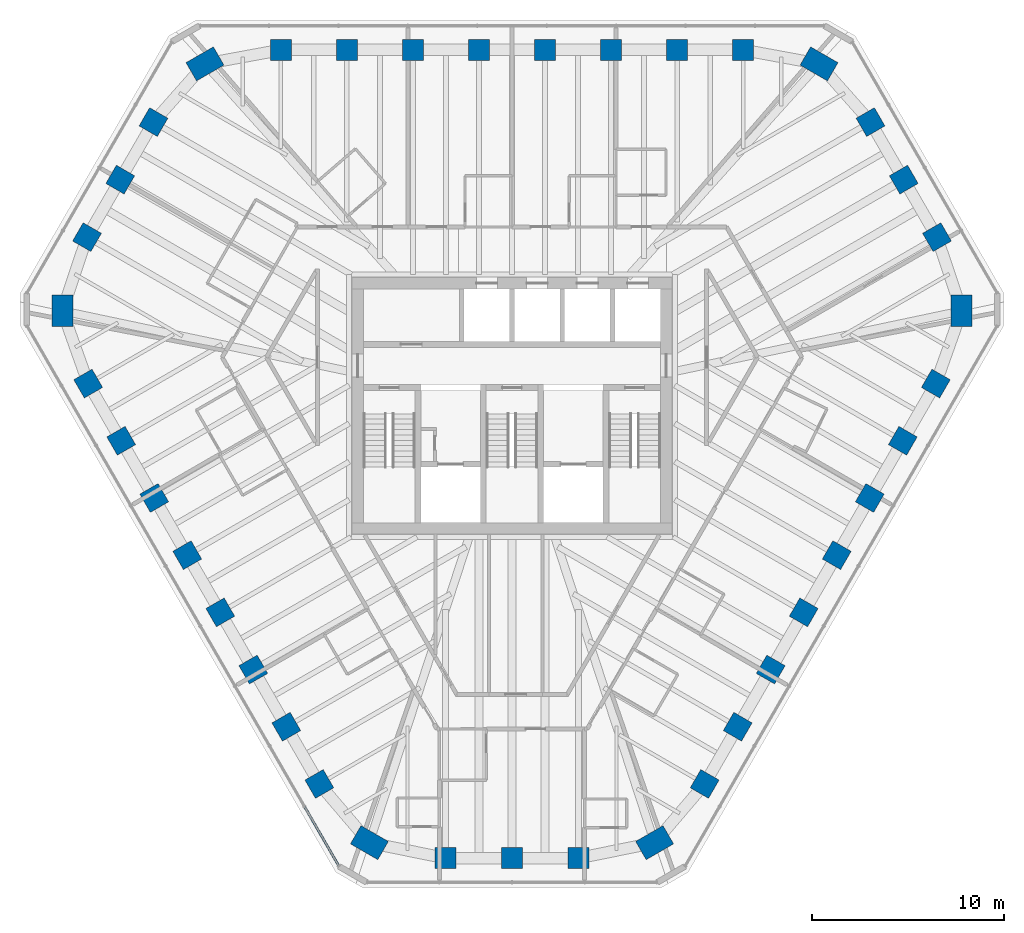
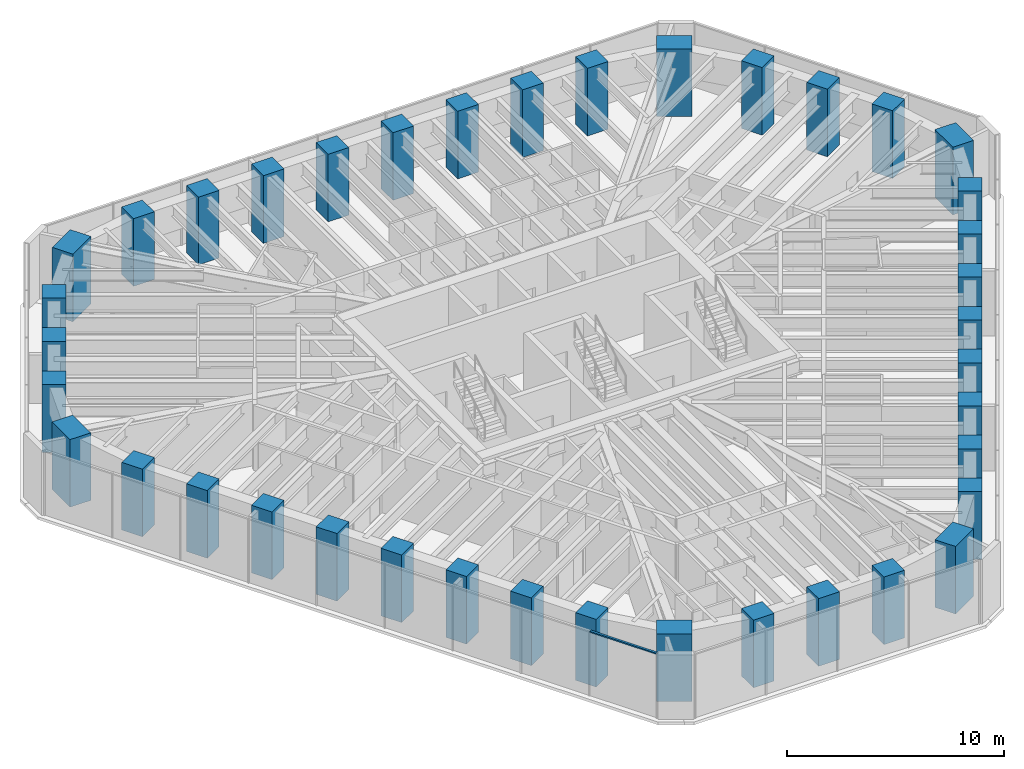
# One storey, part 1 of 14: 39 columns, 1 member, 1 element without a shape of its own.
"""IFC4 building model written with IfcOpenShell, lengths in metres."""

from ifc_helpers import new_model, si_unit, direction, frame, origin, origin_2d, place, context, subcontext, project, spatial, rectangle, extrude, material, material_profile, profile_set, type_object, element, aggregate, save


model = new_model("IFC4")

# Units and contexts
model_context = context("Model", 3, precision=1e-05, world=origin(), true_north=direction((0.0, 1.0)))
body_context = subcontext(model_context, "Body", "Model", "MODEL_VIEW")
ifc_project = project(units=[si_unit("LENGTHUNIT", "METRE"), si_unit("AREAUNIT", "SQUARE_METRE"), si_unit("VOLUMEUNIT", "CUBIC_METRE"), si_unit("PLANEANGLEUNIT", "RADIAN"), si_unit("MASSUNIT", "GRAM", prefix="KILO")], contexts=[model_context])

# Site, building, storey
site_placement = place(None, origin())
site = spatial("IfcSite", under=ifc_project, at=site_placement, CompositionType="ELEMENT")
building_placement = place(site_placement, origin())
building = spatial("IfcBuilding", under=site, at=building_placement, Name="Sandreach Pilgrim Tower", CompositionType="ELEMENT")
storey_placement = place(building_placement, frame((0.0, 0.0, 295.0)))
storey = spatial("IfcBuildingStorey", under=building, at=storey_placement, Name="L74", CompositionType="ELEMENT", Elevation=295.0)

# Columns
ifc_material_1 = material(Name="Concrete 10000 psi", Category="concrete")
ifc_material_profile_1 = material_profile(ifc_material_1, rectangle(XDim=1.10009765625, YDim=1.10009765625, at=origin_2d()), Name="RC1100X1100")
ifc_profile_set_1 = profile_set([ifc_material_profile_1], Name="Concrete 10000 psi")
column_type_1 = type_object("IfcColumnType", Name="Tube column RC1100X1100", PredefinedType="COLUMN", material=ifc_profile_set_1)
for number, where, z_axis, x_axis, name in (
    (1, (-12.0576171875, 18.56640625, 0.0), (0.0, 0.0, 1.0), (0.0, 1.0, 0.0), "COL L74 T01"),
    (2, (-8.612548828125, 18.56640625, 0.0), (0.0, 0.0, 1.0), (0.0, 1.0, 0.0), "COL L74 T02"),
    (3, (-5.16748046875, 18.56640625, 0.0), (0.0, 0.0, 1.0), (0.0, 1.0, 0.0), "COL L74 T03"),
    (4, (-1.722412109375, 18.56640625, 0.0), (0.0, 0.0, 1.0), (0.0, 1.0, 0.0), "COL L74 T04"),
    (5, (1.722412109375, 18.56640625, 0.0), (0.0, 0.0, 1.0), (0.0, 1.0, 0.0), "COL L74 T05"),
    (6, (5.16748046875, 18.56640625, 0.0), (0.0, 0.0, 1.0), (0.0, 1.0, 0.0), "COL L74 T06"),
    (7, (8.612548828125, 18.56640625, 0.0), (0.0, 0.0, 1.0), (0.0, 1.0, 0.0), "COL L74 T07"),
    (8, (12.0576171875, 18.56640625, 0.0), (0.0, 0.0, 1.0), (0.0, 1.0, 0.0), "COL L74 T08"),
    (9, (18.70361328125, 14.80029296875, 0.0), (0.0, 0.0, 1.0), (0.866025403784, 0.5, 0.0), "COL L74 T10"),
    (10, (20.4365234375, 11.799072265625, 0.0), (0.0, 0.0, 1.0), (0.866025403784, 0.5, 0.0), "COL L74 T11"),
    (11, (22.169189453125, 8.7978515625, 0.0), (0.0, 0.0, 1.0), (0.866025403784, 0.5, 0.0), "COL L74 T12"),
    (12, (22.10791015625, 1.158935546875, 0.0), (0.0, 0.0, 1.0), (0.866025403784, -0.5, 0.0), "COL L74 T14"),
    (13, (20.38525390625, -1.824462890625, 0.0), (0.0, 0.0, 1.0), (0.866025403784, -0.5, 0.0), "COL L74 T15"),
    (14, (18.662841796875, -4.80810546875, 0.0), (0.0, 0.0, 1.0), (0.866025403784, -0.5, 0.0), "COL L74 T16"),
    (15, (16.940185546875, -7.79150390625, 0.0), (0.0, 0.0, 1.0), (0.866025403784, -0.5, 0.0), "COL L74 T17"),
    (16, (15.2177734375, -10.77490234375, 0.0), (0.0, 0.0, 1.0), (0.866025403784, -0.5, 0.0), "COL L74 T18"),
    (17, (13.4951171875, -13.758544921875, 0.0), (0.0, 0.0, 1.0), (0.866025403784, -0.5, 0.0), "COL L74 T19"),
    (18, (11.772705078125, -16.741943359375, 0.0), (0.0, 0.0, 1.0), (0.866025403784, -0.5, 0.0), "COL L74 T20"),
    (19, (10.05029296875, -19.725341796875, 0.0), (0.0, 0.0, 1.0), (0.866025403784, -0.5, 0.0), "COL L74 T21"),
    (20, (3.465576171875, -23.59814453125, 0.0), (0.0, 0.0, 1.0), (0.0, -1.0, 0.0), "COL L74 T23"),
    (21, (0.0, -23.59814453125, 0.0), (0.0, 0.0, 1.0), (0.0, -1.0, 0.0), "COL L74 T24"),
    (22, (-3.465576171875, -23.59814453125, 0.0), (0.0, 0.0, 1.0), (0.0, -1.0, 0.0), "COL L74 T25"),
    (23, (-10.05029296875, -19.725341796875, 0.0), (0.0, 0.0, 1.0), (-0.866025403784, -0.5, 0.0), "COL L74 T27"),
    (24, (-11.772705078125, -16.741943359375, 0.0), (0.0, 0.0, 1.0), (-0.866025403784, -0.5, 0.0), "COL L74 T28"),
    (25, (-13.4951171875, -13.758544921875, 0.0), (0.0, 0.0, 1.0), (-0.866025403784, -0.5, 0.0), "COL L74 T29"),
    (26, (-15.2177734375, -10.77490234375, 0.0), (0.0, 0.0, 1.0), (-0.866025403784, -0.5, 0.0), "COL L74 T30"),
    (27, (-16.940185546875, -7.79150390625, 0.0), (0.0, 0.0, 1.0), (-0.866025403784, -0.5, 0.0), "COL L74 T31"),
    (28, (-18.662841796875, -4.80810546875, 0.0), (0.0, 0.0, 1.0), (-0.866025403784, -0.5, 0.0), "COL L74 T32"),
    (29, (-20.38525390625, -1.824462890625, 0.0), (0.0, 0.0, 1.0), (-0.866025403784, -0.5, 0.0), "COL L74 T33"),
    (30, (-22.10791015625, 1.158935546875, 0.0), (0.0, 0.0, 1.0), (-0.866025403784, -0.5, 0.0), "COL L74 T34"),
    (31, (-22.169189453125, 8.7978515625, 0.0), (0.0, 0.0, 1.0), (-0.866025403784, 0.5, 0.0), "COL L74 T36"),
    (32, (-20.4365234375, 11.799072265625, 0.0), (0.0, 0.0, 1.0), (-0.866025403784, 0.5, 0.0), "COL L74 T37"),
    (33, (-18.70361328125, 14.80029296875, 0.0), (0.0, 0.0, 1.0), (-0.866025403784, 0.5, 0.0), "COL L74 T38"),
):
    element("IfcColumn", number, at=place(storey_placement, frame(where, z_axis=z_axis, x_axis=x_axis)), inside=storey, type_object=column_type_1, Name=name, PredefinedType="COLUMN", context=body_context, shape_type="SweptSolid", body=[
        extrude(rectangle(XDim=1.10009765625, YDim=1.10009765625, at=origin_2d()), origin(), (0.0, 0.0, 1.0), 3.800048828125),
    ])
ifc_material_2 = material(Name="Concrete 10000 psi", Category="concrete")
ifc_material_profile_2 = material_profile(ifc_material_2, rectangle(XDim=1.10009765625, YDim=1.64990234375, at=origin_2d()), Name="RC1100X1650")
ifc_profile_set_2 = profile_set([ifc_material_profile_2], Name="Concrete 10000 psi")
column_type_2 = type_object("IfcColumnType", Name="Tube corner pier RC1100X1650", PredefinedType="COLUMN", material=ifc_profile_set_2)
for number, where, z_axis, x_axis, name in (
    (34, (16.0166015625, 17.837158203125, 0.0), (0.0, 0.0, 1.0), (0.5, 0.866025403784, 0.0), "COL L74 T09"),
    (35, (23.455810546875, 4.952392578125, 0.0), (0.0, 0.0, 1.0), (1.0, 0.0, 0.0), "COL L74 T13"),
    (36, (7.439208984375, -22.78955078125, 0.0), (0.0, 0.0, 1.0), (0.5, -0.866025403784, 0.0), "COL L74 T22"),
    (37, (-7.439208984375, -22.78955078125, 0.0), (0.0, 0.0, 1.0), (-0.5, -0.866025403784, 0.0), "COL L74 T26"),
    (38, (-23.455810546875, 4.952392578125, 0.0), (0.0, 0.0, 1.0), (-1.0, 0.0, 0.0), "COL L74 T35"),
    (39, (-16.0166015625, 17.837158203125, 0.0), (0.0, 0.0, 1.0), (-0.5, 0.866025403784, 0.0), "COL L74 T39"),
):
    element("IfcColumn", number, at=place(storey_placement, frame(where, z_axis=z_axis, x_axis=x_axis)), inside=storey, type_object=column_type_2, Name=name, PredefinedType="COLUMN", context=body_context, shape_type="SweptSolid", body=[
        extrude(rectangle(XDim=1.10009765625, YDim=1.64990234375, at=origin_2d()), origin(), (0.0, 0.0, 1.0), 3.800048828125),
    ])

# Curtain wall, member
ifc_material_3 = material(Name="Aluminium framed curtain wall", Category="aluminium")
curtain_wall_type = type_object("IfcCurtainWallType", Name="Suite tower curtain wall", PredefinedType="NOTDEFINED", material=ifc_material_3)
curtain_wall_placement = place(storey_placement, origin())
curtain_wall = element("IfcCurtainWall", 40, at=curtain_wall_placement, inside=storey, type_object=curtain_wall_type, Name="CW-4 L74 SW", PredefinedType="NOTDEFINED")
ifc_material_4 = material(Name="Aluminium extrusion", Category="aluminium")
ifc_material_profile_3 = material_profile(ifc_material_4, rectangle(XDim=0.1201171875, YDim=0.070068359375, at=origin_2d()), Name="CW-4T 120X70")
ifc_profile_set_3 = profile_set([ifc_material_profile_3], Name="Aluminium extrusion")
member_type = type_object("IfcMemberType", Name="CW-4 transom", PredefinedType="USERDEFINED", material=ifc_profile_set_3)
member_placement = place(storey_placement, frame((-9.051025390625, -23.97607421875, 3.60498046875), z_axis=(-0.499997709859, 0.866026725994, 0.0), x_axis=(-0.866026725994, -0.499997709859, 0.0)))
member = element("IfcMember", 41, at=member_placement, type_object=member_type, Name="CW-4 head transom 1", ObjectType="TRANSOM", PredefinedType="USERDEFINED", context=body_context, shape_type="SweptSolid", body=[
    extrude(rectangle(XDim=0.1201171875, YDim=0.070068359375, at=origin_2d()), origin(), (0.0, 0.0, 1.0), 3.53173828125),
])
aggregate(curtain_wall, [member])

save(model, "model.ifc")
